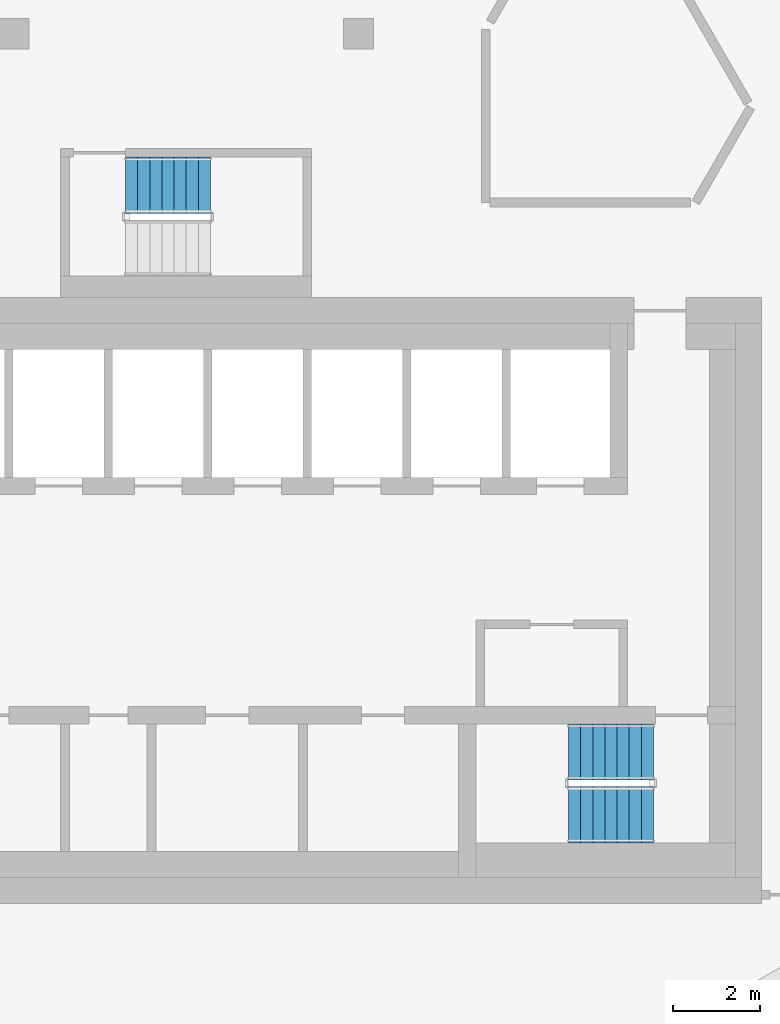
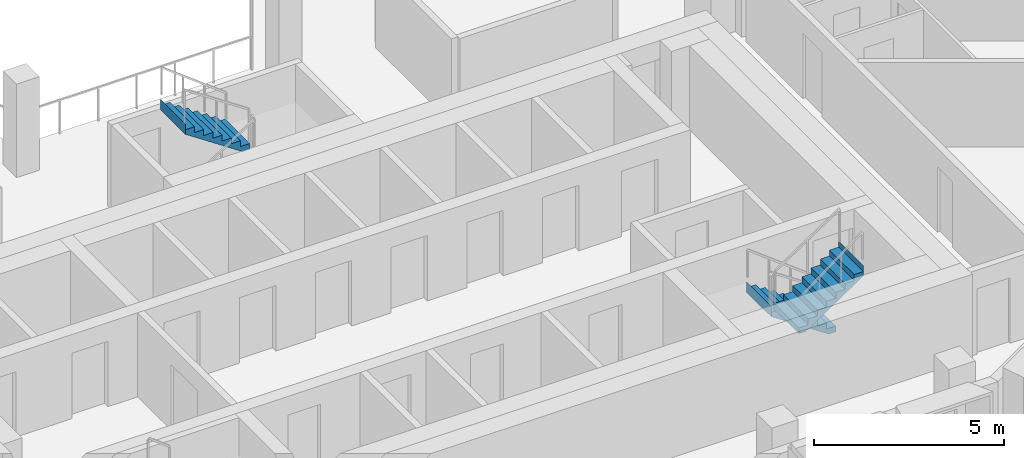
# One storey, part 12 of 17: 3 stair flights, 2 elements without a shape of their own.
"""IFC4 building model written with IfcOpenShell, lengths in metres."""

from ifc_helpers import new_model, si_unit, direction, frame, origin, place, context, subcontext, project, spatial, triangles, material, type_object, element, aggregate, save


model = new_model("IFC4")

# Units and contexts
model_context = context("Model", 3, precision=1e-05, world=origin(), true_north=direction((0.0, 1.0)))
body_context = subcontext(model_context, "Body", "Model", "MODEL_VIEW")
ifc_project = project(units=[si_unit("LENGTHUNIT", "METRE"), si_unit("AREAUNIT", "SQUARE_METRE"), si_unit("VOLUMEUNIT", "CUBIC_METRE"), si_unit("PLANEANGLEUNIT", "RADIAN"), si_unit("MASSUNIT", "GRAM", prefix="KILO")], contexts=[model_context])

# Site, building, storey
site_placement = place(None, origin())
site = spatial("IfcSite", under=ifc_project, at=site_placement, CompositionType="ELEMENT")
building_placement = place(site_placement, origin())
building = spatial("IfcBuilding", under=site, at=building_placement, Name="Beryl Residences", CompositionType="ELEMENT")
storey_placement = place(building_placement, frame((0.0, 0.0, 166.199951171875)))
storey = spatial("IfcBuildingStorey", under=building, at=storey_placement, Name="L50", CompositionType="ELEMENT", Elevation=166.199951171875)

# Stair, stair flights
ifc_material_1 = material(Name="Concrete C40/50", Category="concrete")
stair_type = type_object("IfcStairType", Name="ST1 protected exit stair, half-turn, 1300 mm flights", PredefinedType="HALF_TURN_STAIR", material=ifc_material_1)
stair_1_placement = place(storey_placement, origin())
stair_1 = element("IfcStair", 1, at=stair_1_placement, inside=storey, type_object=stair_type, Name="L50 PROTECTED EXIT STAIR ST-3", PredefinedType="HALF_TURN_STAIR")
ifc_material_2 = material(Name="Concrete C40/50", Category="concrete")
stair_flight_type = type_object("IfcStairFlightType", Name="SF1 stair flight 1300 mm", PredefinedType="STRAIGHT", material=ifc_material_2)
stair_flight_1_placement = place(storey_placement, frame((10.800048828125, -15.5, 0.0), z_axis=(0.0, 0.0, 1.0), x_axis=(-1.0, 0.0, 0.0)))
stair_flight_1 = element("IfcStairFlight", 2, at=stair_flight_1_placement, type_object=stair_flight_type, Name="ST-3 flight 1", NumberOfRisers=8, NumberOfTreads=7, PredefinedType="STRAIGHT", RiserHeight=0.1875, TreadLength=0.28, context=body_context, shape_type="Tessellation", body=[
    triangles([(0.0, -0.64990234375, 0.0), (0.0, -0.324951171875, 0.0), (0.0, 0.0, 0.0), (0.0, 0.324951171875, 0.0), (0.0, 0.64990234375, 0.0), (0.0, -0.64990234375, 0.1875), (0.0, -0.324951171875, 0.1875), (0.0, 0.0, 0.1875), (0.0, 0.324951171875, 0.1875), (0.0, 0.64990234375, 0.1875), (0.280029296875, -0.64990234375, 0.1875), (0.280029296875, -0.324951171875, 0.1875), (0.280029296875, 0.0, 0.1875), (0.280029296875, 0.324951171875, 0.1875), (0.280029296875, 0.64990234375, 0.1875), (0.280029296875, -0.64990234375, 0.375), (0.280029296875, -0.324951171875, 0.375), (0.280029296875, 0.0, 0.375), (0.280029296875, 0.324951171875, 0.375), (0.280029296875, 0.64990234375, 0.375), (0.56005859375, -0.64990234375, 0.375), (0.56005859375, -0.324951171875, 0.375), (0.56005859375, 0.0, 0.375), (0.56005859375, 0.324951171875, 0.375), (0.56005859375, 0.64990234375, 0.375), (0.56005859375, -0.64990234375, 0.5625), (0.56005859375, -0.324951171875, 0.5625), (0.56005859375, 0.0, 0.5625), (0.56005859375, 0.324951171875, 0.5625), (0.56005859375, 0.64990234375, 0.5625), (0.840087890625, -0.64990234375, 0.5625), (0.840087890625, -0.324951171875, 0.5625), (0.840087890625, 0.0, 0.5625), (0.840087890625, 0.324951171875, 0.5625), (0.840087890625, 0.64990234375, 0.5625), (0.840087890625, -0.64990234375, 0.75), (0.840087890625, -0.324951171875, 0.75), (0.840087890625, 0.0, 0.75), (0.840087890625, 0.324951171875, 0.75), (0.840087890625, 0.64990234375, 0.75), (1.1201171875, -0.64990234375, 0.75), (1.1201171875, -0.324951171875, 0.75), (1.1201171875, 0.0, 0.75), (1.1201171875, 0.324951171875, 0.75), (1.1201171875, 0.64990234375, 0.75), (1.1201171875, -0.64990234375, 0.9375), (1.1201171875, -0.324951171875, 0.9375), (1.1201171875, 0.0, 0.9375), (1.1201171875, 0.324951171875, 0.9375), (1.1201171875, 0.64990234375, 0.9375), (1.39990234375, -0.64990234375, 0.9375), (1.39990234375, -0.324951171875, 0.9375), (1.39990234375, 0.0, 0.9375), (1.39990234375, 0.324951171875, 0.9375), (1.39990234375, 0.64990234375, 0.9375), (1.39990234375, -0.64990234375, 1.125), (1.39990234375, -0.324951171875, 1.125), (1.39990234375, 0.0, 1.125), (1.39990234375, 0.324951171875, 1.125), (1.39990234375, 0.64990234375, 1.125), (1.679931640625, -0.64990234375, 1.125), (1.679931640625, -0.324951171875, 1.125), (1.679931640625, 0.0, 1.125), (1.679931640625, 0.324951171875, 1.125), (1.679931640625, 0.64990234375, 1.125), (1.679931640625, -0.64990234375, 1.3125), (1.679931640625, -0.324951171875, 1.3125), (1.679931640625, 0.0, 1.3125), (1.679931640625, 0.324951171875, 1.3125), (1.679931640625, 0.64990234375, 1.3125), (1.9599609375, -0.64990234375, 1.3125), (1.9599609375, -0.324951171875, 1.3125), (1.9599609375, 0.0, 1.3125), (1.9599609375, 0.324951171875, 1.3125), (1.9599609375, 0.64990234375, 1.3125), (1.9599609375, -0.64990234375, 1.5), (1.9599609375, -0.324951171875, 1.5), (1.9599609375, 0.0, 1.5), (1.9599609375, 0.324951171875, 1.5), (1.9599609375, 0.64990234375, 1.5), (1.9609375, -0.64990234375, 1.5), (1.9609375, -0.324951171875, 1.5), (1.9609375, 0.0, 1.5), (1.9609375, 0.324951171875, 1.5), (1.9609375, 0.64990234375, 1.5), (1.9609375, -0.64990234375, 1.16796875), (1.9609375, -0.324951171875, 1.16796875), (1.9609375, 0.0, 1.16796875), (1.9609375, 0.324951171875, 1.16796875), (1.9609375, 0.64990234375, 1.16796875), (0.216796875, -0.64990234375, 0.0), (0.216796875, -0.324951171875, 0.0), (0.216796875, 0.0, 0.0), (0.216796875, 0.324951171875, 0.0), (0.216796875, 0.64990234375, 0.0)], [[1, 6, 7], [1, 7, 2], [2, 7, 8], [2, 8, 3], [3, 8, 9], [3, 9, 4], [4, 9, 10], [4, 10, 5], [6, 11, 12], [6, 12, 7], [7, 12, 13], [7, 13, 8], [8, 13, 14], [8, 14, 9], [9, 14, 15], [9, 15, 10], [11, 16, 17], [11, 17, 12], [12, 17, 18], [12, 18, 13], [13, 18, 19], [13, 19, 14], [14, 19, 20], [14, 20, 15], [16, 21, 22], [16, 22, 17], [17, 22, 23], [17, 23, 18], [18, 23, 24], [18, 24, 19], [19, 24, 25], [19, 25, 20], [21, 26, 27], [21, 27, 22], [22, 27, 28], [22, 28, 23], [23, 28, 29], [23, 29, 24], [24, 29, 30], [24, 30, 25], [26, 31, 32], [26, 32, 27], [27, 32, 33], [27, 33, 28], [28, 33, 34], [28, 34, 29], [29, 34, 35], [29, 35, 30], [31, 36, 37], [31, 37, 32], [32, 37, 38], [32, 38, 33], [33, 38, 39], [33, 39, 34], [34, 39, 40], [34, 40, 35], [36, 41, 42], [36, 42, 37], [37, 42, 43], [37, 43, 38], [38, 43, 44], [38, 44, 39], [39, 44, 45], [39, 45, 40], [41, 46, 47], [41, 47, 42], [42, 47, 48], [42, 48, 43], [43, 48, 49], [43, 49, 44], [44, 49, 50], [44, 50, 45], [46, 51, 52], [46, 52, 47], [47, 52, 53], [47, 53, 48], [48, 53, 54], [48, 54, 49], [49, 54, 55], [49, 55, 50], [51, 56, 57], [51, 57, 52], [52, 57, 58], [52, 58, 53], [53, 58, 59], [53, 59, 54], [54, 59, 60], [54, 60, 55], [56, 61, 62], [56, 62, 57], [57, 62, 63], [57, 63, 58], [58, 63, 64], [58, 64, 59], [59, 64, 65], [59, 65, 60], [61, 66, 67], [61, 67, 62], [62, 67, 68], [62, 68, 63], [63, 68, 69], [63, 69, 64], [64, 69, 70], [64, 70, 65], [66, 71, 72], [66, 72, 67], [67, 72, 73], [67, 73, 68], [68, 73, 74], [68, 74, 69], [69, 74, 75], [69, 75, 70], [71, 76, 77], [71, 77, 72], [72, 77, 78], [72, 78, 73], [73, 78, 79], [73, 79, 74], [74, 79, 80], [74, 80, 75], [76, 81, 82], [76, 82, 77], [77, 82, 83], [77, 83, 78], [78, 83, 84], [78, 84, 79], [79, 84, 85], [79, 85, 80], [81, 86, 87], [81, 87, 82], [82, 87, 88], [82, 88, 83], [83, 88, 89], [83, 89, 84], [84, 89, 90], [84, 90, 85], [86, 91, 92], [86, 92, 87], [87, 92, 93], [87, 93, 88], [88, 93, 94], [88, 94, 89], [89, 94, 95], [89, 95, 90], [91, 1, 2], [91, 2, 92], [92, 2, 3], [92, 3, 93], [93, 3, 4], [93, 4, 94], [94, 4, 5], [94, 5, 95], [1, 91, 86], [5, 90, 95], [86, 81, 76], [90, 80, 85], [86, 76, 71], [90, 75, 80], [86, 71, 66], [90, 70, 75], [86, 66, 61], [90, 65, 70], [61, 56, 51], [65, 55, 60], [86, 61, 51], [90, 55, 65], [51, 46, 41], [55, 45, 50], [86, 51, 41], [90, 45, 55], [41, 36, 31], [45, 35, 40], [86, 41, 31], [90, 35, 45], [31, 26, 21], [35, 25, 30], [86, 31, 21], [90, 25, 35], [21, 16, 11], [25, 15, 20], [86, 21, 11], [90, 15, 25], [1, 86, 11], [5, 15, 90], [11, 6, 1], [15, 5, 10]], closed=True),
])
stair_flight_2_placement = place(storey_placement, frame((8.840087890625, -16.949951171875, 1.5), z_axis=(0.0, 0.0, 1.0), x_axis=(1.0, 0.0, 0.0)))
stair_flight_2 = element("IfcStairFlight", 3, at=stair_flight_2_placement, type_object=stair_flight_type, Name="ST-3 flight 2", NumberOfRisers=8, NumberOfTreads=7, PredefinedType="STRAIGHT", RiserHeight=0.1875, TreadLength=0.28, context=body_context, shape_type="Tessellation", body=[
    triangles([(0.0, -0.64990234375, 0.0), (0.0, -0.324951171875, 0.0), (0.0, 0.0, 0.0), (0.0, 0.324951171875, 0.0), (0.0, 0.64990234375, 0.0), (0.0, -0.64990234375, 0.1875), (0.0, -0.324951171875, 0.1875), (0.0, 0.0, 0.1875), (0.0, 0.324951171875, 0.1875), (0.0, 0.64990234375, 0.1875), (0.280029296875, -0.64990234375, 0.1875), (0.280029296875, -0.324951171875, 0.1875), (0.280029296875, 0.0, 0.1875), (0.280029296875, 0.324951171875, 0.1875), (0.280029296875, 0.64990234375, 0.1875), (0.280029296875, -0.64990234375, 0.375), (0.280029296875, -0.324951171875, 0.375), (0.280029296875, 0.0, 0.375), (0.280029296875, 0.324951171875, 0.375), (0.280029296875, 0.64990234375, 0.375), (0.56005859375, -0.64990234375, 0.375), (0.56005859375, -0.324951171875, 0.375), (0.56005859375, 0.0, 0.375), (0.56005859375, 0.324951171875, 0.375), (0.56005859375, 0.64990234375, 0.375), (0.56005859375, -0.64990234375, 0.5625), (0.56005859375, -0.324951171875, 0.5625), (0.56005859375, 0.0, 0.5625), (0.56005859375, 0.324951171875, 0.5625), (0.56005859375, 0.64990234375, 0.5625), (0.840087890625, -0.64990234375, 0.5625), (0.840087890625, -0.324951171875, 0.5625), (0.840087890625, 0.0, 0.5625), (0.840087890625, 0.324951171875, 0.5625), (0.840087890625, 0.64990234375, 0.5625), (0.840087890625, -0.64990234375, 0.75), (0.840087890625, -0.324951171875, 0.75), (0.840087890625, 0.0, 0.75), (0.840087890625, 0.324951171875, 0.75), (0.840087890625, 0.64990234375, 0.75), (1.1201171875, -0.64990234375, 0.75), (1.1201171875, -0.324951171875, 0.75), (1.1201171875, 0.0, 0.75), (1.1201171875, 0.324951171875, 0.75), (1.1201171875, 0.64990234375, 0.75), (1.1201171875, -0.64990234375, 0.9375), (1.1201171875, -0.324951171875, 0.9375), (1.1201171875, 0.0, 0.9375), (1.1201171875, 0.324951171875, 0.9375), (1.1201171875, 0.64990234375, 0.9375), (1.39990234375, -0.64990234375, 0.9375), (1.39990234375, -0.324951171875, 0.9375), (1.39990234375, 0.0, 0.9375), (1.39990234375, 0.324951171875, 0.9375), (1.39990234375, 0.64990234375, 0.9375), (1.39990234375, -0.64990234375, 1.125), (1.39990234375, -0.324951171875, 1.125), (1.39990234375, 0.0, 1.125), (1.39990234375, 0.324951171875, 1.125), (1.39990234375, 0.64990234375, 1.125), (1.679931640625, -0.64990234375, 1.125), (1.679931640625, -0.324951171875, 1.125), (1.679931640625, 0.0, 1.125), (1.679931640625, 0.324951171875, 1.125), (1.679931640625, 0.64990234375, 1.125), (1.679931640625, -0.64990234375, 1.3125), (1.679931640625, -0.324951171875, 1.3125), (1.679931640625, 0.0, 1.3125), (1.679931640625, 0.324951171875, 1.3125), (1.679931640625, 0.64990234375, 1.3125), (1.9599609375, -0.64990234375, 1.3125), (1.9599609375, -0.324951171875, 1.3125), (1.9599609375, 0.0, 1.3125), (1.9599609375, 0.324951171875, 1.3125), (1.9599609375, 0.64990234375, 1.3125), (1.9599609375, -0.64990234375, 1.5), (1.9599609375, -0.324951171875, 1.5), (1.9599609375, 0.0, 1.5), (1.9599609375, 0.324951171875, 1.5), (1.9599609375, 0.64990234375, 1.5), (1.9609375, -0.64990234375, 1.5), (1.9609375, -0.324951171875, 1.5), (1.9609375, 0.0, 1.5), (1.9609375, 0.324951171875, 1.5), (1.9609375, 0.64990234375, 1.5), (1.9609375, -0.64990234375, 1.16796875), (1.9609375, -0.324951171875, 1.16796875), (1.9609375, 0.0, 1.16796875), (1.9609375, 0.324951171875, 1.16796875), (1.9609375, 0.64990234375, 1.16796875), (0.216796875, -0.64990234375, 0.0), (0.216796875, -0.324951171875, 0.0), (0.216796875, 0.0, 0.0), (0.216796875, 0.324951171875, 0.0), (0.216796875, 0.64990234375, 0.0)], [[1, 6, 7], [1, 7, 2], [2, 7, 8], [2, 8, 3], [3, 8, 9], [3, 9, 4], [4, 9, 10], [4, 10, 5], [6, 11, 12], [6, 12, 7], [7, 12, 13], [7, 13, 8], [8, 13, 14], [8, 14, 9], [9, 14, 15], [9, 15, 10], [11, 16, 17], [11, 17, 12], [12, 17, 18], [12, 18, 13], [13, 18, 19], [13, 19, 14], [14, 19, 20], [14, 20, 15], [16, 21, 22], [16, 22, 17], [17, 22, 23], [17, 23, 18], [18, 23, 24], [18, 24, 19], [19, 24, 25], [19, 25, 20], [21, 26, 27], [21, 27, 22], [22, 27, 28], [22, 28, 23], [23, 28, 29], [23, 29, 24], [24, 29, 30], [24, 30, 25], [26, 31, 32], [26, 32, 27], [27, 32, 33], [27, 33, 28], [28, 33, 34], [28, 34, 29], [29, 34, 35], [29, 35, 30], [31, 36, 37], [31, 37, 32], [32, 37, 38], [32, 38, 33], [33, 38, 39], [33, 39, 34], [34, 39, 40], [34, 40, 35], [36, 41, 42], [36, 42, 37], [37, 42, 43], [37, 43, 38], [38, 43, 44], [38, 44, 39], [39, 44, 45], [39, 45, 40], [41, 46, 47], [41, 47, 42], [42, 47, 48], [42, 48, 43], [43, 48, 49], [43, 49, 44], [44, 49, 50], [44, 50, 45], [46, 51, 52], [46, 52, 47], [47, 52, 53], [47, 53, 48], [48, 53, 54], [48, 54, 49], [49, 54, 55], [49, 55, 50], [51, 56, 57], [51, 57, 52], [52, 57, 58], [52, 58, 53], [53, 58, 59], [53, 59, 54], [54, 59, 60], [54, 60, 55], [56, 61, 62], [56, 62, 57], [57, 62, 63], [57, 63, 58], [58, 63, 64], [58, 64, 59], [59, 64, 65], [59, 65, 60], [61, 66, 67], [61, 67, 62], [62, 67, 68], [62, 68, 63], [63, 68, 69], [63, 69, 64], [64, 69, 70], [64, 70, 65], [66, 71, 72], [66, 72, 67], [67, 72, 73], [67, 73, 68], [68, 73, 74], [68, 74, 69], [69, 74, 75], [69, 75, 70], [71, 76, 77], [71, 77, 72], [72, 77, 78], [72, 78, 73], [73, 78, 79], [73, 79, 74], [74, 79, 80], [74, 80, 75], [76, 81, 82], [76, 82, 77], [77, 82, 83], [77, 83, 78], [78, 83, 84], [78, 84, 79], [79, 84, 85], [79, 85, 80], [81, 86, 87], [81, 87, 82], [82, 87, 88], [82, 88, 83], [83, 88, 89], [83, 89, 84], [84, 89, 90], [84, 90, 85], [86, 91, 92], [86, 92, 87], [87, 92, 93], [87, 93, 88], [88, 93, 94], [88, 94, 89], [89, 94, 95], [89, 95, 90], [91, 1, 2], [91, 2, 92], [92, 2, 3], [92, 3, 93], [93, 3, 4], [93, 4, 94], [94, 4, 5], [94, 5, 95], [1, 91, 86], [5, 90, 95], [86, 81, 76], [90, 80, 85], [86, 76, 71], [90, 75, 80], [86, 71, 66], [90, 70, 75], [86, 66, 61], [90, 65, 70], [61, 56, 51], [65, 55, 60], [86, 61, 51], [90, 55, 65], [51, 46, 41], [55, 45, 50], [86, 51, 41], [90, 45, 55], [41, 36, 31], [45, 35, 40], [86, 41, 31], [90, 35, 45], [31, 26, 21], [35, 25, 30], [86, 31, 21], [90, 25, 35], [21, 16, 11], [25, 15, 20], [86, 21, 11], [90, 15, 25], [1, 86, 11], [5, 15, 90], [11, 6, 1], [15, 5, 10]], closed=True),
])
aggregate(stair_1, [stair_flight_1, stair_flight_2])

# Stair, stair flight
stair_2_placement = place(storey_placement, origin())
stair_2 = element("IfcStair", 4, at=stair_2_placement, inside=storey, type_object=stair_type, Name="L50 PROTECTED EXIT STAIR ST-4", PredefinedType="HALF_TURN_STAIR")
stair_flight_3_placement = place(storey_placement, frame((0.56005859375, -2.39990234375, 1.5), z_axis=(0.0, 0.0, 1.0), x_axis=(-1.0, 0.0, 0.0)))
stair_flight_3 = element("IfcStairFlight", 5, at=stair_flight_3_placement, type_object=stair_flight_type, Name="ST-4 flight 2", NumberOfRisers=8, NumberOfTreads=7, PredefinedType="STRAIGHT", RiserHeight=0.1875, TreadLength=0.28, context=body_context, shape_type="Tessellation", body=[
    triangles([(0.0, -0.64990234375, 0.0), (0.0, -0.324951171875, 0.0), (0.0, 0.0, 0.0), (0.0, 0.324951171875, 0.0), (0.0, 0.64990234375, 0.0), (0.0, -0.64990234375, 0.1875), (0.0, -0.324951171875, 0.1875), (0.0, 0.0, 0.1875), (0.0, 0.324951171875, 0.1875), (0.0, 0.64990234375, 0.1875), (0.280029296875, -0.64990234375, 0.1875), (0.280029296875, -0.324951171875, 0.1875), (0.280029296875, 0.0, 0.1875), (0.280029296875, 0.324951171875, 0.1875), (0.280029296875, 0.64990234375, 0.1875), (0.280029296875, -0.64990234375, 0.375), (0.280029296875, -0.324951171875, 0.375), (0.280029296875, 0.0, 0.375), (0.280029296875, 0.324951171875, 0.375), (0.280029296875, 0.64990234375, 0.375), (0.56005859375, -0.64990234375, 0.375), (0.56005859375, -0.324951171875, 0.375), (0.56005859375, 0.0, 0.375), (0.56005859375, 0.324951171875, 0.375), (0.56005859375, 0.64990234375, 0.375), (0.56005859375, -0.64990234375, 0.5625), (0.56005859375, -0.324951171875, 0.5625), (0.56005859375, 0.0, 0.5625), (0.56005859375, 0.324951171875, 0.5625), (0.56005859375, 0.64990234375, 0.5625), (0.840087890625, -0.64990234375, 0.5625), (0.840087890625, -0.324951171875, 0.5625), (0.840087890625, 0.0, 0.5625), (0.840087890625, 0.324951171875, 0.5625), (0.840087890625, 0.64990234375, 0.5625), (0.840087890625, -0.64990234375, 0.75), (0.840087890625, -0.324951171875, 0.75), (0.840087890625, 0.0, 0.75), (0.840087890625, 0.324951171875, 0.75), (0.840087890625, 0.64990234375, 0.75), (1.1201171875, -0.64990234375, 0.75), (1.1201171875, -0.324951171875, 0.75), (1.1201171875, 0.0, 0.75), (1.1201171875, 0.324951171875, 0.75), (1.1201171875, 0.64990234375, 0.75), (1.1201171875, -0.64990234375, 0.9375), (1.1201171875, -0.324951171875, 0.9375), (1.1201171875, 0.0, 0.9375), (1.1201171875, 0.324951171875, 0.9375), (1.1201171875, 0.64990234375, 0.9375), (1.39990234375, -0.64990234375, 0.9375), (1.39990234375, -0.324951171875, 0.9375), (1.39990234375, 0.0, 0.9375), (1.39990234375, 0.324951171875, 0.9375), (1.39990234375, 0.64990234375, 0.9375), (1.39990234375, -0.64990234375, 1.125), (1.39990234375, -0.324951171875, 1.125), (1.39990234375, 0.0, 1.125), (1.39990234375, 0.324951171875, 1.125), (1.39990234375, 0.64990234375, 1.125), (1.679931640625, -0.64990234375, 1.125), (1.679931640625, -0.324951171875, 1.125), (1.679931640625, 0.0, 1.125), (1.679931640625, 0.324951171875, 1.125), (1.679931640625, 0.64990234375, 1.125), (1.679931640625, -0.64990234375, 1.3125), (1.679931640625, -0.324951171875, 1.3125), (1.679931640625, 0.0, 1.3125), (1.679931640625, 0.324951171875, 1.3125), (1.679931640625, 0.64990234375, 1.3125), (1.9599609375, -0.64990234375, 1.3125), (1.9599609375, -0.324951171875, 1.3125), (1.9599609375, 0.0, 1.3125), (1.9599609375, 0.324951171875, 1.3125), (1.9599609375, 0.64990234375, 1.3125), (1.9599609375, -0.64990234375, 1.5), (1.9599609375, -0.324951171875, 1.5), (1.9599609375, 0.0, 1.5), (1.9599609375, 0.324951171875, 1.5), (1.9599609375, 0.64990234375, 1.5), (1.9609375, -0.64990234375, 1.5), (1.9609375, -0.324951171875, 1.5), (1.9609375, 0.0, 1.5), (1.9609375, 0.324951171875, 1.5), (1.9609375, 0.64990234375, 1.5), (1.9609375, -0.64990234375, 1.16796875), (1.9609375, -0.324951171875, 1.16796875), (1.9609375, 0.0, 1.16796875), (1.9609375, 0.324951171875, 1.16796875), (1.9609375, 0.64990234375, 1.16796875), (0.216796875, -0.64990234375, 0.0), (0.216796875, -0.324951171875, 0.0), (0.216796875, 0.0, 0.0), (0.216796875, 0.324951171875, 0.0), (0.216796875, 0.64990234375, 0.0)], [[1, 6, 7], [1, 7, 2], [2, 7, 8], [2, 8, 3], [3, 8, 9], [3, 9, 4], [4, 9, 10], [4, 10, 5], [6, 11, 12], [6, 12, 7], [7, 12, 13], [7, 13, 8], [8, 13, 14], [8, 14, 9], [9, 14, 15], [9, 15, 10], [11, 16, 17], [11, 17, 12], [12, 17, 18], [12, 18, 13], [13, 18, 19], [13, 19, 14], [14, 19, 20], [14, 20, 15], [16, 21, 22], [16, 22, 17], [17, 22, 23], [17, 23, 18], [18, 23, 24], [18, 24, 19], [19, 24, 25], [19, 25, 20], [21, 26, 27], [21, 27, 22], [22, 27, 28], [22, 28, 23], [23, 28, 29], [23, 29, 24], [24, 29, 30], [24, 30, 25], [26, 31, 32], [26, 32, 27], [27, 32, 33], [27, 33, 28], [28, 33, 34], [28, 34, 29], [29, 34, 35], [29, 35, 30], [31, 36, 37], [31, 37, 32], [32, 37, 38], [32, 38, 33], [33, 38, 39], [33, 39, 34], [34, 39, 40], [34, 40, 35], [36, 41, 42], [36, 42, 37], [37, 42, 43], [37, 43, 38], [38, 43, 44], [38, 44, 39], [39, 44, 45], [39, 45, 40], [41, 46, 47], [41, 47, 42], [42, 47, 48], [42, 48, 43], [43, 48, 49], [43, 49, 44], [44, 49, 50], [44, 50, 45], [46, 51, 52], [46, 52, 47], [47, 52, 53], [47, 53, 48], [48, 53, 54], [48, 54, 49], [49, 54, 55], [49, 55, 50], [51, 56, 57], [51, 57, 52], [52, 57, 58], [52, 58, 53], [53, 58, 59], [53, 59, 54], [54, 59, 60], [54, 60, 55], [56, 61, 62], [56, 62, 57], [57, 62, 63], [57, 63, 58], [58, 63, 64], [58, 64, 59], [59, 64, 65], [59, 65, 60], [61, 66, 67], [61, 67, 62], [62, 67, 68], [62, 68, 63], [63, 68, 69], [63, 69, 64], [64, 69, 70], [64, 70, 65], [66, 71, 72], [66, 72, 67], [67, 72, 73], [67, 73, 68], [68, 73, 74], [68, 74, 69], [69, 74, 75], [69, 75, 70], [71, 76, 77], [71, 77, 72], [72, 77, 78], [72, 78, 73], [73, 78, 79], [73, 79, 74], [74, 79, 80], [74, 80, 75], [76, 81, 82], [76, 82, 77], [77, 82, 83], [77, 83, 78], [78, 83, 84], [78, 84, 79], [79, 84, 85], [79, 85, 80], [81, 86, 87], [81, 87, 82], [82, 87, 88], [82, 88, 83], [83, 88, 89], [83, 89, 84], [84, 89, 90], [84, 90, 85], [86, 91, 92], [86, 92, 87], [87, 92, 93], [87, 93, 88], [88, 93, 94], [88, 94, 89], [89, 94, 95], [89, 95, 90], [91, 1, 2], [91, 2, 92], [92, 2, 3], [92, 3, 93], [93, 3, 4], [93, 4, 94], [94, 4, 5], [94, 5, 95], [1, 91, 86], [5, 90, 95], [86, 81, 76], [90, 80, 85], [86, 76, 71], [90, 75, 80], [86, 71, 66], [90, 70, 75], [86, 66, 61], [90, 65, 70], [61, 56, 51], [65, 55, 60], [86, 61, 51], [90, 55, 65], [51, 46, 41], [55, 45, 50], [86, 51, 41], [90, 45, 55], [41, 36, 31], [45, 35, 40], [86, 41, 31], [90, 35, 45], [31, 26, 21], [35, 25, 30], [86, 31, 21], [90, 25, 35], [21, 16, 11], [25, 15, 20], [86, 21, 11], [90, 15, 25], [1, 86, 11], [5, 15, 90], [11, 6, 1], [15, 5, 10]], closed=True),
])
aggregate(stair_2, [stair_flight_3])

save(model, "model.ifc")
